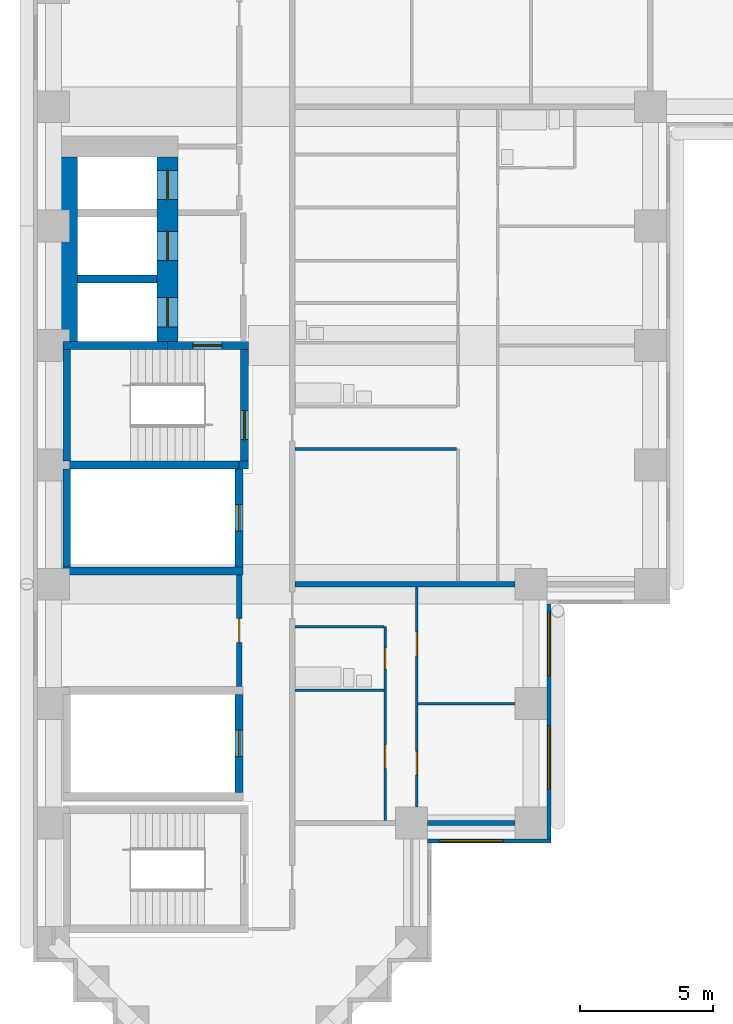
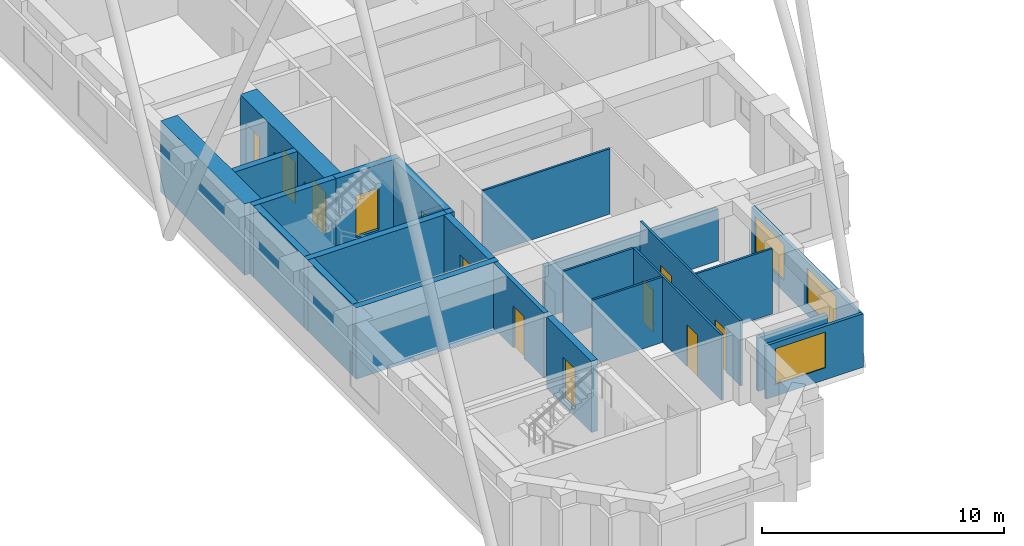
# One storey, part 3 of 12: 24 walls, 12 doors, 3 windows, 15 openings.
"""IFC4 building model written with IfcOpenShell, lengths in metres."""

from ifc_helpers import new_model, si_unit, direction, frame, frame_2d, origin, place, context, subcontext, project, spatial, rectangle, extrude, material, layer, layer_set, type_object, element, fill, save


model = new_model("IFC4")

# Units and contexts
model_context = context("Model", 3, precision=1e-05, world=origin(), true_north=direction((0.0, 1.0)))
body_context = subcontext(model_context, "Body", "Model", "MODEL_VIEW")
ifc_project = project(units=[si_unit("LENGTHUNIT", "METRE"), si_unit("AREAUNIT", "SQUARE_METRE"), si_unit("VOLUMEUNIT", "CUBIC_METRE"), si_unit("PLANEANGLEUNIT", "RADIAN"), si_unit("MASSUNIT", "GRAM", prefix="KILO")], contexts=[model_context])

# Site, building, storey
site_placement = place(None, origin())
site = spatial("IfcSite", under=ifc_project, at=site_placement, CompositionType="ELEMENT")
building_placement = place(site_placement, origin())
building = spatial("IfcBuilding", under=site, at=building_placement, Name="Firuza Court", CompositionType="ELEMENT")
storey_placement = place(building_placement, frame((0.0, 0.0, 93.800048828125)))
storey = spatial("IfcBuildingStorey", under=building, at=storey_placement, Name="L23", CompositionType="ELEMENT", Elevation=93.800048828125)

# Walls
ifc_material_1 = material(Name="Moisture-resistant gypsum board partition")
ifc_layer_1 = layer(ifc_material_1, 0.10009765625)
ifc_layer_set_1 = layer_set([ifc_layer_1], Name="Moisture-resistant gypsum board partition")
wall_type_1 = type_object("IfcWallType", Name="Bathroom partition 100", PredefinedType="PLUMBINGWALL", material=ifc_layer_set_1)
for number, where, z_axis, x_axis, name in (
    (1, (9.10009765625, 14.0, 0.0), (0.0, 0.0, 1.0), (1.0, 0.0, 0.0), "Bathroom partition 100 L23"),
    (2, (9.10009765625, 16.39990234375, 0.0), (0.0, 0.0, 1.0), (1.0, 0.0, 0.0), "Bathroom partition 100 L23"),
):
    element("IfcWall", number, at=place(storey_placement, frame(where, z_axis=z_axis, x_axis=x_axis)), inside=storey, type_object=wall_type_1, Name=name, PredefinedType="PLUMBINGWALL", context=body_context, shape_type="SweptSolid", body=[
        extrude(rectangle(XDim=3.349853515625, YDim=0.10009765625, at=frame_2d((1.6748046875, 0.0))), origin(), (0.0, 0.0, 1.0), 3.300048828125),
    ])
ifc_material_2 = material(Name="Concrete C60/75", Category="concrete")
ifc_layer_2 = layer(ifc_material_2, 0.300048828125)
ifc_layer_set_2 = layer_set([ifc_layer_2], Name="Concrete C60/75")
wall_type_2 = type_object("IfcWallType", Name="Core wall 300 C60/75", PredefinedType="SHEAR", material=ifc_layer_set_2)
wall_1_placement = place(storey_placement, frame((0.35009765625, 18.5, -0.300048828125), z_axis=(0.0, 0.0, 1.0), x_axis=(1.0, 0.0, 0.0)))
element("IfcWall", 3, at=wall_1_placement, inside=storey, type_object=wall_type_2, Name="Core wall riser L23", PredefinedType="SHEAR", context=body_context, shape_type="SweptSolid", body=[
    extrude(rectangle(XDim=6.7998046875, YDim=0.300048828125, at=frame_2d((3.39990234375, 0.0))), origin(), (0.0, 0.0, 1.0), 3.60009765625),
])
wall_2_placement = place(storey_placement, frame((0.35009765625, 22.5, -0.300048828125), z_axis=(0.0, 0.0, 1.0), x_axis=(1.0, 0.0, 0.0)))
element("IfcWall", 4, at=wall_2_placement, inside=storey, type_object=wall_type_2, Name="Core wall riser L23", PredefinedType="SHEAR", context=body_context, shape_type="SweptSolid", body=[
    extrude(rectangle(XDim=6.64990234375, YDim=0.300048828125, at=frame_2d((3.324951171875, 0.0))), origin(), (0.0, 0.0, 1.0), 3.60009765625),
])
wall_3_placement = place(storey_placement, frame((0.35009765625, 27.0, -0.300048828125), z_axis=(0.0, 0.0, 1.0), x_axis=(1.0, 0.0, 0.0)))
element("IfcWall", 5, at=wall_3_placement, inside=storey, type_object=wall_type_2, Name="Core wall lift shaft L23", PredefinedType="SHEAR", context=body_context, shape_type="SweptSolid", body=[
    extrude(rectangle(XDim=3.949951171875, YDim=0.300048828125, at=frame_2d((1.97509765625, 0.0))), origin(), (0.0, 0.0, 1.0), 3.60009765625),
])
wall_4_placement = place(storey_placement, frame((0.5, 18.64990234375, -0.300048828125), z_axis=(0.0, 0.0, 1.0), x_axis=(0.0, 1.0, 0.0)))
element("IfcWall", 6, at=wall_4_placement, inside=storey, type_object=wall_type_2, Name="Core wall riser L23", PredefinedType="SHEAR", context=body_context, shape_type="SweptSolid", body=[
    extrude(rectangle(XDim=3.7001953125, YDim=0.300048828125, at=frame_2d((1.85009765625, 0.0))), origin(), (0.0, 0.0, 1.0), 3.60009765625),
])
wall_5_placement = place(storey_placement, frame((0.5, 22.64990234375, -0.300048828125), z_axis=(0.0, 0.0, 1.0), x_axis=(0.0, 1.0, 0.0)))
element("IfcWall", 7, at=wall_5_placement, inside=storey, type_object=wall_type_2, Name="Core wall stair L23", PredefinedType="SHEAR", context=body_context, shape_type="SweptSolid", body=[
    extrude(rectangle(XDim=4.2001953125, YDim=0.300048828125, at=frame_2d((2.10009765625, 0.0))), origin(), (0.0, 0.0, 1.0), 3.60009765625),
])
wall_6_placement = place(storey_placement, frame((0.89990234375, 29.5, -0.300048828125), z_axis=(0.0, 0.0, 1.0), x_axis=(1.0, 0.0, 0.0)))
element("IfcWall", 8, at=wall_6_placement, inside=storey, type_object=wall_type_2, Name="Core wall lift shaft L23", PredefinedType="SHEAR", context=body_context, shape_type="SweptSolid", body=[
    extrude(rectangle(XDim=3.0, YDim=0.300048828125, at=frame_2d((1.5, 0.0))), origin(), (0.0, 0.0, 1.0), 3.60009765625),
])

# Wall, opening, door
wall_7_placement = place(storey_placement, frame((4.300048828125, 27.0, -0.300048828125), z_axis=(0.0, 0.0, 1.0), x_axis=(1.0, 0.0, 0.0)))
wall_7 = element("IfcWall", 9, at=wall_7_placement, inside=storey, type_object=wall_type_2, Name="Core wall stair L23", PredefinedType="SHEAR", context=body_context, shape_type="SweptSolid", body=[
    extrude(rectangle(XDim=3.050048828125, YDim=0.300048828125, at=frame_2d((1.52490234375, 0.0))), origin(), (0.0, 0.0, 1.0), 3.60009765625),
])
opening_1_placement = place(wall_7_placement, frame((0.949951171875, 0.0, 0.300048828125)))
opening_1 = element("IfcOpeningElement", 10, at=opening_1_placement, cuts=wall_7, Name="Opening D23014", PredefinedType="OPENING", context=body_context, shape_type="SweptSolid", body=[
    extrude(rectangle(XDim=1.10009765625, YDim=2.10009765625, at=frame_2d((0.550048828125, 1.050048828125))), frame((0.0, 0.162109375, 0.0), z_axis=(0.0, -1.0, 0.0), x_axis=(1.0, 0.0, 0.0)), (0.0, 0.0, 1.0), 0.323974609375),
])
ifc_material_3 = material(Name="Timber door leaf in hardwood frame", Category="wood")
door_type_1 = type_object("IfcDoorType", Name="Stair door 1100", OperationType="SINGLE_SWING_LEFT", PredefinedType="DOOR", material=ifc_material_3)
door_1_placement = place(opening_1_placement, frame((1.10009765625, 0.0, 0.0), z_axis=(0.0, 0.0, 1.0), x_axis=(-1.0, 0.0, 0.0)))
door_1 = element("IfcDoor", 11, at=door_1_placement, inside=storey, type_object=door_type_1, Name="Fire-fighting lobby door", OperationType="SINGLE_SWING_LEFT", OverallHeight=2.10009765625, OverallWidth=1.10009765625, PredefinedType="DOOR", context=body_context, shape_type="SweptSolid", body=[
    extrude(rectangle(XDim=1.10009765625, YDim=2.10009765625, at=frame_2d((0.550048828125, 1.050048828125))), frame((0.0, 0.02490234375, 0.0), z_axis=(0.0, -1.0, 0.0), x_axis=(1.0, 0.0, 0.0)), (0.0, 0.0, 1.0), 0.050048828125),
])
fill(opening_1, door_1)

wall_8_placement = place(storey_placement, frame((7.0, 10.14990234375, -0.300048828125), z_axis=(0.0, 0.0, 1.0), x_axis=(0.0, 1.0, 0.0)))
wall_8 = element("IfcWall", 12, at=wall_8_placement, inside=storey, type_object=wall_type_2, Name="Core wall riser L23", PredefinedType="SHEAR", context=body_context, shape_type="SweptSolid", body=[
    extrude(rectangle(XDim=3.7001953125, YDim=0.300048828125, at=frame_2d((1.85009765625, 0.0))), origin(), (0.0, 0.0, 1.0), 3.60009765625),
])
opening_2_placement = place(wall_8_placement, frame((1.35009765625, 0.0, 0.300048828125)))
opening_2 = element("IfcOpeningElement", 13, at=opening_2_placement, cuts=wall_8, Name="Opening D23012", PredefinedType="OPENING", context=body_context, shape_type="SweptSolid", body=[
    extrude(rectangle(XDim=1.0, YDim=2.10009765625, at=frame_2d((0.5, 1.050048828125))), frame((0.0, 0.162109375, 0.0), z_axis=(0.0, -1.0, 0.0), x_axis=(1.0, 0.0, 0.0)), (0.0, 0.0, 1.0), 0.323974609375),
])
ifc_material_4 = material(Name="Timber door leaf in hardwood frame", Category="wood")
door_type_2 = type_object("IfcDoorType", Name="Riser door 1000", OperationType="SINGLE_SWING_LEFT", PredefinedType="DOOR", material=ifc_material_4)
door_2_placement = place(opening_2_placement, origin())
door_2 = element("IfcDoor", 14, at=door_2_placement, inside=storey, type_object=door_type_2, Name="Riser door R4", OperationType="SINGLE_SWING_LEFT", OverallHeight=2.10009765625, OverallWidth=1.0, PredefinedType="DOOR", context=body_context, shape_type="SweptSolid", body=[
    extrude(rectangle(XDim=1.0, YDim=2.10009765625, at=frame_2d((0.5, 1.050048828125))), frame((0.0, 0.02490234375, 0.0), z_axis=(0.0, -1.0, 0.0), x_axis=(1.0, 0.0, 0.0)), (0.0, 0.0, 1.0), 0.050048828125),
])
fill(opening_2, door_2)

wall_9_placement = place(storey_placement, frame((7.0, 18.64990234375, -0.300048828125), z_axis=(0.0, 0.0, 1.0), x_axis=(0.0, 1.0, 0.0)))
wall_9 = element("IfcWall", 15, at=wall_9_placement, inside=storey, type_object=wall_type_2, Name="Core wall riser L23", PredefinedType="SHEAR", context=body_context, shape_type="SweptSolid", body=[
    extrude(rectangle(XDim=3.7001953125, YDim=0.300048828125, at=frame_2d((1.85009765625, 0.0))), origin(), (0.0, 0.0, 1.0), 3.60009765625),
])
opening_3_placement = place(wall_9_placement, frame((1.35009765625, 0.0, 0.300048828125)))
opening_3 = element("IfcOpeningElement", 16, at=opening_3_placement, cuts=wall_9, Name="Opening D23010", PredefinedType="OPENING", context=body_context, shape_type="SweptSolid", body=[
    extrude(rectangle(XDim=1.0, YDim=2.10009765625, at=frame_2d((0.5, 1.050048828125))), frame((0.0, 0.162109375, 0.0), z_axis=(0.0, -1.0, 0.0), x_axis=(1.0, 0.0, 0.0)), (0.0, 0.0, 1.0), 0.323974609375),
])
door_3_placement = place(opening_3_placement, origin())
door_3 = element("IfcDoor", 17, at=door_3_placement, inside=storey, type_object=door_type_2, Name="Riser door R1", OperationType="SINGLE_SWING_LEFT", OverallHeight=2.10009765625, OverallWidth=1.0, PredefinedType="DOOR", context=body_context, shape_type="SweptSolid", body=[
    extrude(rectangle(XDim=1.0, YDim=2.10009765625, at=frame_2d((0.5, 1.050048828125))), frame((0.0, 0.02490234375, 0.0), z_axis=(0.0, -1.0, 0.0), x_axis=(1.0, 0.0, 0.0)), (0.0, 0.0, 1.0), 0.050048828125),
])
fill(opening_3, door_3)

# Wall
wall_10_placement = place(storey_placement, frame((7.0, 22.5, -0.300048828125), z_axis=(0.0, 0.0, 1.0), x_axis=(1.0, 0.0, 0.0)))
element("IfcWall", 18, at=wall_10_placement, inside=storey, type_object=wall_type_2, Name="Core wall stair L23", PredefinedType="SHEAR", context=body_context, shape_type="SweptSolid", body=[
    extrude(rectangle(XDim=0.35009765625, YDim=0.300048828125, at=frame_2d((0.175048828125, 0.0))), origin(), (0.0, 0.0, 1.0), 3.60009765625),
])

# Wall, opening, door
wall_11_placement = place(storey_placement, frame((7.199951171875, 22.64990234375, -0.300048828125), z_axis=(0.0, 0.0, 1.0), x_axis=(0.0, 1.0, 0.0)))
wall_11 = element("IfcWall", 19, at=wall_11_placement, inside=storey, type_object=wall_type_2, Name="Core wall stair L23", PredefinedType="SHEAR", context=body_context, shape_type="SweptSolid", body=[
    extrude(rectangle(XDim=4.2001953125, YDim=0.300048828125, at=frame_2d((2.10009765625, 0.0))), origin(), (0.0, 0.0, 1.0), 3.60009765625),
])
opening_4_placement = place(wall_11_placement, frame((0.800048828125, 0.0, 0.300048828125)))
opening_4 = element("IfcOpeningElement", 20, at=opening_4_placement, cuts=wall_11, Name="Opening D23015", PredefinedType="OPENING", context=body_context, shape_type="SweptSolid", body=[
    extrude(rectangle(XDim=1.10009765625, YDim=2.10009765625, at=frame_2d((0.550048828125, 1.050048828125))), frame((0.0, 0.162109375, 0.0), z_axis=(0.0, -1.0, 0.0), x_axis=(1.0, 0.0, 0.0)), (0.0, 0.0, 1.0), 0.323974609375),
])
door_4_placement = place(opening_4_placement, origin())
door_4 = element("IfcDoor", 21, at=door_4_placement, inside=storey, type_object=door_type_1, Name="Stair door S2", OperationType="SINGLE_SWING_LEFT", OverallHeight=2.10009765625, OverallWidth=1.10009765625, PredefinedType="DOOR", context=body_context, shape_type="SweptSolid", body=[
    extrude(rectangle(XDim=1.10009765625, YDim=2.10009765625, at=frame_2d((0.550048828125, 1.050048828125))), frame((0.0, 0.02490234375, 0.0), z_axis=(0.0, -1.0, 0.0), x_axis=(1.0, 0.0, 0.0)), (0.0, 0.0, 1.0), 0.050048828125),
])
fill(opening_4, door_4)

# Wall
ifc_layer_3 = layer(ifc_material_2, 0.800048828125)
ifc_layer_set_3 = layer_set([ifc_layer_3], Name="Concrete C60/75")
wall_type_3 = type_object("IfcWallType", Name="Core wall 800 C60/75", PredefinedType="SHEAR", material=ifc_layer_set_3)
wall_12_placement = place(storey_placement, frame((0.5, 27.14990234375, -0.300048828125), z_axis=(0.0, 0.0, 1.0), x_axis=(0.0, 1.0, 0.0)))
element("IfcWall", 22, at=wall_12_placement, inside=storey, type_object=wall_type_3, Name="Core wall lift shaft L23", PredefinedType="SHEAR", context=body_context, shape_type="SweptSolid", body=[
    extrude(rectangle(XDim=6.9501953125, YDim=0.800048828125, at=frame_2d((3.47509765625, 0.0))), origin(), (0.0, 0.0, 1.0), 3.60009765625),
])

# Wall, openings, doors
wall_13_placement = place(storey_placement, frame((4.300048828125, 27.14990234375, -0.300048828125), z_axis=(0.0, 0.0, 1.0), x_axis=(0.0, 1.0, 0.0)))
wall_13 = element("IfcWall", 23, at=wall_13_placement, inside=storey, type_object=wall_type_3, Name="Core wall lift shaft L23", PredefinedType="SHEAR", context=body_context, shape_type="SweptSolid", body=[
    extrude(rectangle(XDim=6.9501953125, YDim=0.800048828125, at=frame_2d((3.47509765625, 0.0))), origin(), (0.0, 0.0, 1.0), 3.60009765625),
])
opening_5_placement = place(wall_13_placement, frame((3.050048828125, 0.0, 0.300048828125)))
opening_5 = element("IfcOpeningElement", 24, at=opening_5_placement, cuts=wall_13, Name="Opening LD-FL1-23", PredefinedType="OPENING", context=body_context, shape_type="SweptSolid", body=[
    extrude(rectangle(XDim=1.10009765625, YDim=2.10009765625, at=frame_2d((0.550048828125, 1.050048828125))), frame((0.0, 0.412109375, 0.0), z_axis=(0.0, -1.0, 0.0), x_axis=(1.0, 0.0, 0.0)), (0.0, 0.0, 1.0), 0.823974609375),
])
opening_6_placement = place(wall_13_placement, frame((0.550048828125, 0.0, 0.300048828125)))
opening_6 = element("IfcOpeningElement", 25, at=opening_6_placement, cuts=wall_13, Name="Opening LD-FL2-23", PredefinedType="OPENING", context=body_context, shape_type="SweptSolid", body=[
    extrude(rectangle(XDim=1.10009765625, YDim=2.10009765625, at=frame_2d((0.550048828125, 1.050048828125))), frame((0.0, 0.412109375, 0.0), z_axis=(0.0, -1.0, 0.0), x_axis=(1.0, 0.0, 0.0)), (0.0, 0.0, 1.0), 0.823974609375),
])
opening_7_placement = place(wall_13_placement, frame((5.35009765625, 0.0, 0.300048828125)))
opening_7 = element("IfcOpeningElement", 26, at=opening_7_placement, cuts=wall_13, Name="Opening LD-SL1-23", PredefinedType="OPENING", context=body_context, shape_type="SweptSolid", body=[
    extrude(rectangle(XDim=1.10009765625, YDim=2.10009765625, at=frame_2d((0.550048828125, 1.050048828125))), frame((0.0, 0.412109375, 0.0), z_axis=(0.0, -1.0, 0.0), x_axis=(1.0, 0.0, 0.0)), (0.0, 0.0, 1.0), 0.823974609375),
])
ifc_material_5 = material(Name="Stainless steel 1.4301 door leaf", Category="steel")
door_type_3 = type_object("IfcDoorType", Name="Lift landing door 1100", OperationType="SLIDING_TO_LEFT", PredefinedType="DOOR", material=ifc_material_5)
door_5_placement = place(opening_5_placement, origin())
door_5 = element("IfcDoor", 27, at=door_5_placement, inside=storey, type_object=door_type_3, Name="Landing door FL1", OperationType="SLIDING_TO_LEFT", OverallHeight=2.10009765625, OverallWidth=1.10009765625, PredefinedType="DOOR", context=body_context, shape_type="SweptSolid", body=[
    extrude(rectangle(XDim=1.10009765625, YDim=2.10009765625, at=frame_2d((0.550048828125, 1.050048828125))), frame((0.0, 0.02490234375, 0.0), z_axis=(0.0, -1.0, 0.0), x_axis=(1.0, 0.0, 0.0)), (0.0, 0.0, 1.0), 0.050048828125),
])
fill(opening_5, door_5)
door_6_placement = place(opening_6_placement, origin())
door_6 = element("IfcDoor", 28, at=door_6_placement, inside=storey, type_object=door_type_3, Name="Landing door FL2", OperationType="SLIDING_TO_LEFT", OverallHeight=2.10009765625, OverallWidth=1.10009765625, PredefinedType="DOOR", context=body_context, shape_type="SweptSolid", body=[
    extrude(rectangle(XDim=1.10009765625, YDim=2.10009765625, at=frame_2d((0.550048828125, 1.050048828125))), frame((0.0, 0.02490234375, 0.0), z_axis=(0.0, -1.0, 0.0), x_axis=(1.0, 0.0, 0.0)), (0.0, 0.0, 1.0), 0.050048828125),
])
fill(opening_6, door_6)
door_7_placement = place(opening_7_placement, origin())
door_7 = element("IfcDoor", 29, at=door_7_placement, inside=storey, type_object=door_type_3, Name="Landing door SL1", OperationType="SLIDING_TO_LEFT", OverallHeight=2.10009765625, OverallWidth=1.10009765625, PredefinedType="DOOR", context=body_context, shape_type="SweptSolid", body=[
    extrude(rectangle(XDim=1.10009765625, YDim=2.10009765625, at=frame_2d((0.550048828125, 1.050048828125))), frame((0.0, 0.02490234375, 0.0), z_axis=(0.0, -1.0, 0.0), x_axis=(1.0, 0.0, 0.0)), (0.0, 0.0, 1.0), 0.050048828125),
])
fill(opening_7, door_7)

# Wall, opening, door
ifc_material_6 = material(Name="Blockwork, plastered both sides", Category="masonry")
ifc_layer_4 = layer(ifc_material_6, 0.199951171875)
ifc_layer_set_4 = layer_set([ifc_layer_4], Name="Blockwork, plastered both sides")
wall_type_4 = type_object("IfcWallType", Name="Corridor wall 200", PredefinedType="PARTITIONING", material=ifc_layer_set_4)
wall_14_placement = place(storey_placement, frame((7.0, 14.14990234375, 0.0), z_axis=(0.0, 0.0, 1.0), x_axis=(0.0, 1.0, 0.0)))
wall_14 = element("IfcWall", 30, at=wall_14_placement, inside=storey, type_object=wall_type_4, Name="Corridor wall 200 L23", PredefinedType="PARTITIONING", context=body_context, shape_type="SweptSolid", body=[
    extrude(rectangle(XDim=4.2001953125, YDim=0.199951171875, at=frame_2d((2.10009765625, 0.0))), origin(), (0.0, 0.0, 1.0), 3.300048828125),
])
opening_8_placement = place(wall_14_placement, frame((1.64990234375, 0.0, 0.0)))
opening_8 = element("IfcOpeningElement", 31, at=opening_8_placement, cuts=wall_14, Name="Opening D23027", PredefinedType="OPENING", context=body_context, shape_type="SweptSolid", body=[
    extrude(rectangle(XDim=0.89990234375, YDim=2.10009765625, at=frame_2d((0.449951171875, 1.050048828125))), frame((0.0, 0.11181640625, 0.0), z_axis=(0.0, -1.0, 0.0), x_axis=(1.0, 0.0, 0.0)), (0.0, 0.0, 1.0), 0.223876953125),
])
ifc_material_7 = material(Name="Timber door leaf in hardwood frame", Category="wood")
door_type_4 = type_object("IfcDoorType", Name="Room door 900 EI 30", OperationType="SINGLE_SWING_LEFT", PredefinedType="DOOR", material=ifc_material_7)
door_8_placement = place(opening_8_placement, origin())
door_8 = element("IfcDoor", 32, at=door_8_placement, inside=storey, type_object=door_type_4, Name="Meeting room door", OperationType="SINGLE_SWING_LEFT", OverallHeight=2.10009765625, OverallWidth=0.89990234375, PredefinedType="DOOR", context=body_context, shape_type="SweptSolid", body=[
    extrude(rectangle(XDim=0.89990234375, YDim=2.10009765625, at=frame_2d((0.449951171875, 1.050048828125))), frame((0.0, 0.02490234375, 0.0), z_axis=(0.0, -1.0, 0.0), x_axis=(1.0, 0.0, 0.0)), (0.0, 0.0, 1.0), 0.050048828125),
])
fill(opening_8, door_8)

# Wall, openings, doors
ifc_material_8 = material(Name="Timber stud partition, plasterboard both sides", Category="wood")
ifc_layer_5 = layer(ifc_material_8, 0.10009765625)
ifc_layer_set_5 = layer_set([ifc_layer_5], Name="Timber stud partition, plasterboard both sides")
wall_type_5 = type_object("IfcWallType", Name="Partition wall 100", PredefinedType="PARTITIONING", material=ifc_layer_set_5)
wall_15_placement = place(storey_placement, frame((12.5, 9.10009765625, 0.0), z_axis=(0.0, 0.0, 1.0), x_axis=(0.0, 1.0, 0.0)))
wall_15 = element("IfcWall", 33, at=wall_15_placement, inside=storey, type_object=wall_type_5, Name="Partition wall 100 L23", PredefinedType="PARTITIONING", context=body_context, shape_type="SweptSolid", body=[
    extrude(rectangle(XDim=7.2998046875, YDim=0.10009765625, at=frame_2d((3.64990234375, 0.0))), origin(), (0.0, 0.0, 1.0), 3.300048828125),
])
opening_9_placement = place(wall_15_placement, frame((5.699951171875, 0.0, 0.0)))
opening_9 = element("IfcOpeningElement", 34, at=opening_9_placement, cuts=wall_15, Name="Opening D23023", PredefinedType="OPENING", context=body_context, shape_type="SweptSolid", body=[
    extrude(rectangle(XDim=0.800048828125, YDim=2.10009765625, at=frame_2d((0.39990234375, 1.050048828125))), frame((0.0, 0.06201171875, 0.0), z_axis=(0.0, -1.0, 0.0), x_axis=(1.0, 0.0, 0.0)), (0.0, 0.0, 1.0), 0.1240234375),
])
opening_10_placement = place(wall_15_placement, frame((1.949951171875, 0.0, 0.0)))
opening_10 = element("IfcOpeningElement", 35, at=opening_10_placement, cuts=wall_15, Name="Opening D23024", PredefinedType="OPENING", context=body_context, shape_type="SweptSolid", body=[
    extrude(rectangle(XDim=0.89990234375, YDim=2.10009765625, at=frame_2d((0.449951171875, 1.050048828125))), frame((0.0, 0.06201171875, 0.0), z_axis=(0.0, -1.0, 0.0), x_axis=(1.0, 0.0, 0.0)), (0.0, 0.0, 1.0), 0.1240234375),
])
ifc_material_9 = material(Name="Timber door leaf in hardwood frame", Category="wood")
door_type_5 = type_object("IfcDoorType", Name="Bathroom door 800", OperationType="SINGLE_SWING_LEFT", PredefinedType="DOOR", material=ifc_material_9)
door_9_placement = place(opening_9_placement, origin())
door_9 = element("IfcDoor", 36, at=door_9_placement, inside=storey, type_object=door_type_5, Name="Bathroom door", OperationType="SINGLE_SWING_LEFT", OverallHeight=2.10009765625, OverallWidth=0.800048828125, PredefinedType="DOOR", context=body_context, shape_type="SweptSolid", body=[
    extrude(rectangle(XDim=0.800048828125, YDim=2.10009765625, at=frame_2d((0.39990234375, 1.050048828125))), frame((0.0, 0.02490234375, 0.0), z_axis=(0.0, -1.0, 0.0), x_axis=(1.0, 0.0, 0.0)), (0.0, 0.0, 1.0), 0.050048828125),
])
fill(opening_9, door_9)
ifc_material_10 = material(Name="Timber door leaf in hardwood frame", Category="wood")
door_type_6 = type_object("IfcDoorType", Name="Room door 900", OperationType="SINGLE_SWING_LEFT", PredefinedType="DOOR", material=ifc_material_10)
door_10_placement = place(opening_10_placement, origin())
door_10 = element("IfcDoor", 37, at=door_10_placement, inside=storey, type_object=door_type_6, Name="Kitchen door", OperationType="SINGLE_SWING_LEFT", OverallHeight=2.10009765625, OverallWidth=0.89990234375, PredefinedType="DOOR", context=body_context, shape_type="SweptSolid", body=[
    extrude(rectangle(XDim=0.89990234375, YDim=2.10009765625, at=frame_2d((0.449951171875, 1.050048828125))), frame((0.0, 0.02490234375, 0.0), z_axis=(0.0, -1.0, 0.0), x_axis=(1.0, 0.0, 0.0)), (0.0, 0.0, 1.0), 0.050048828125),
])
fill(opening_10, door_10)

wall_16_placement = place(storey_placement, frame((13.699951171875, 9.60009765625, 0.0), z_axis=(0.0, 0.0, 1.0), x_axis=(0.0, 1.0, 0.0)))
wall_16 = element("IfcWall", 38, at=wall_16_placement, inside=storey, type_object=wall_type_5, Name="Partition wall 100 L23", PredefinedType="PARTITIONING", context=body_context, shape_type="SweptSolid", body=[
    extrude(rectangle(XDim=8.2998046875, YDim=0.10009765625, at=frame_2d((4.14990234375, 0.0))), origin(), (0.0, 0.0, 1.0), 3.300048828125),
])
opening_11_placement = place(wall_16_placement, frame((1.199951171875, 0.0, 0.0)))
opening_11 = element("IfcOpeningElement", 39, at=opening_11_placement, cuts=wall_16, Name="Opening D23025", PredefinedType="OPENING", context=body_context, shape_type="SweptSolid", body=[
    extrude(rectangle(XDim=0.89990234375, YDim=2.10009765625, at=frame_2d((0.449951171875, 1.050048828125))), frame((0.0, 0.06201171875, 0.0), z_axis=(0.0, -1.0, 0.0), x_axis=(1.0, 0.0, 0.0)), (0.0, 0.0, 1.0), 0.1240234375),
])
opening_12_placement = place(wall_16_placement, frame((5.699951171875, 0.0, 0.0)))
opening_12 = element("IfcOpeningElement", 40, at=opening_12_placement, cuts=wall_16, Name="Opening D23026", PredefinedType="OPENING", context=body_context, shape_type="SweptSolid", body=[
    extrude(rectangle(XDim=0.89990234375, YDim=2.10009765625, at=frame_2d((0.449951171875, 1.050048828125))), frame((0.0, 0.06201171875, 0.0), z_axis=(0.0, -1.0, 0.0), x_axis=(1.0, 0.0, 0.0)), (0.0, 0.0, 1.0), 0.1240234375),
])
door_11_placement = place(opening_11_placement, frame((0.89990234375, 0.0, 0.0), z_axis=(0.0, 0.0, 1.0), x_axis=(-1.0, 0.0, 0.0)))
door_11 = element("IfcDoor", 41, at=door_11_placement, inside=storey, type_object=door_type_6, Name="Bedroom door", OperationType="SINGLE_SWING_RIGHT", OverallHeight=2.10009765625, OverallWidth=0.89990234375, PredefinedType="DOOR", context=body_context, shape_type="SweptSolid", body=[
    extrude(rectangle(XDim=0.89990234375, YDim=2.10009765625, at=frame_2d((0.449951171875, 1.050048828125))), frame((0.0, 0.02490234375, 0.0), z_axis=(0.0, -1.0, 0.0), x_axis=(1.0, 0.0, 0.0)), (0.0, 0.0, 1.0), 0.050048828125),
])
fill(opening_11, door_11)
door_12_placement = place(opening_12_placement, frame((0.89990234375, 0.0, 0.0), z_axis=(0.0, 0.0, 1.0), x_axis=(-1.0, 0.0, 0.0)))
door_12 = element("IfcDoor", 42, at=door_12_placement, inside=storey, type_object=door_type_6, Name="Living room door", OperationType="SINGLE_SWING_RIGHT", OverallHeight=2.10009765625, OverallWidth=0.89990234375, PredefinedType="DOOR", context=body_context, shape_type="SweptSolid", body=[
    extrude(rectangle(XDim=0.89990234375, YDim=2.10009765625, at=frame_2d((0.449951171875, 1.050048828125))), frame((0.0, 0.02490234375, 0.0), z_axis=(0.0, -1.0, 0.0), x_axis=(1.0, 0.0, 0.0)), (0.0, 0.0, 1.0), 0.050048828125),
])
fill(opening_12, door_12)

# Walls
wall_17_placement = place(storey_placement, frame((13.75, 13.5, 0.0), z_axis=(0.0, 0.0, 1.0), x_axis=(1.0, 0.0, 0.0)))
element("IfcWall", 43, at=wall_17_placement, inside=storey, type_object=wall_type_5, Name="Partition wall 100 L23", PredefinedType="PARTITIONING", context=body_context, shape_type="SweptSolid", body=[
    extrude(rectangle(XDim=3.64990234375, YDim=0.10009765625, at=frame_2d((1.824951171875, 0.0))), origin(), (0.0, 0.0, 1.0), 3.300048828125),
])
wall_18_placement = place(storey_placement, frame((9.10009765625, 23.10009765625, 0.0), z_axis=(0.0, 0.0, 1.0), x_axis=(1.0, 0.0, 0.0)))
element("IfcWall", 44, at=wall_18_placement, inside=storey, type_object=wall_type_5, Name="Partition wall 100 L23", PredefinedType="PARTITIONING", context=body_context, shape_type="SweptSolid", body=[
    extrude(rectangle(XDim=6.099853515625, YDim=0.10009765625, at=frame_2d((3.0498046875, 0.0))), origin(), (0.0, 0.0, 1.0), 3.300048828125),
])
ifc_layer_6 = layer(ifc_material_6, 0.199951171875)
ifc_layer_set_6 = layer_set([ifc_layer_6], Name="Blockwork, plastered both sides")
wall_type_6 = type_object("IfcWallType", Name="Party wall 200", PredefinedType="PARTITIONING", material=ifc_layer_set_6)
wall_19_placement = place(storey_placement, frame((14.10009765625, 9.0, 0.0), z_axis=(0.0, 0.0, 1.0), x_axis=(1.0, 0.0, 0.0)))
element("IfcWall", 45, at=wall_19_placement, inside=storey, type_object=wall_type_6, Name="Party wall 200 L23", PredefinedType="PARTITIONING", context=body_context, shape_type="SweptSolid", body=[
    extrude(rectangle(XDim=3.2998046875, YDim=0.199951171875, at=frame_2d((1.64990234375, 0.0))), origin(), (0.0, 0.0, 1.0), 2.699951171875),
])
wall_20_placement = place(storey_placement, frame((9.10009765625, 18.0, 0.0), z_axis=(0.0, 0.0, 1.0), x_axis=(1.0, 0.0, 0.0)))
element("IfcWall", 46, at=wall_20_placement, inside=storey, type_object=wall_type_6, Name="Party wall 200 L23", PredefinedType="PARTITIONING", context=body_context, shape_type="SweptSolid", body=[
    extrude(rectangle(XDim=8.2998046875, YDim=0.199951171875, at=frame_2d((4.14990234375, 0.0))), origin(), (0.0, 0.0, 1.0), 2.599853515625),
])

# Wall, opening, window
ifc_material_11 = material(Name="Ceramic tile", Category="ceramic")
ifc_layer_7 = layer(ifc_material_11, 0.02001953125)
ifc_material_12 = material(Name="Mineral wool insulation", Category="insulation")
ifc_layer_8 = layer(ifc_material_12, 0.050048828125)
ifc_material_13 = material(Name="Concrete C40/50 precast", Category="concrete")
ifc_layer_9 = layer(ifc_material_13, 0.080078125)
ifc_layer_set_7 = layer_set([ifc_layer_7, ifc_layer_8, ifc_layer_9], Name="Concrete C40/50 precast")
wall_type_7 = type_object("IfcWallType", Name="Precast cladding wall with turquoise TILE PANEL face 150", PredefinedType="STANDARD", material=ifc_layer_set_7)
wall_21_placement = place(storey_placement, frame((14.10009765625, 8.324951171875, 0.0), z_axis=(0.0, 0.0, 1.0), x_axis=(1.0, 0.0, 0.0)))
wall_21 = element("IfcWall", 47, at=wall_21_placement, inside=storey, type_object=wall_type_7, Name="Facade wall L23 S", PredefinedType="STANDARD", context=body_context, shape_type="SweptSolid", body=[
    extrude(rectangle(XDim=4.64990234375, YDim=0.14990234375, at=frame_2d((2.324951171875, 0.0))), origin(), (0.0, 0.0, 1.0), 2.699951171875),
])
opening_13_placement = place(wall_21_placement, frame((0.449951171875, 0.0, 0.60009765625)))
opening_13 = element("IfcOpeningElement", 48, at=opening_13_placement, cuts=wall_21, Name="Opening W1", PredefinedType="OPENING", context=body_context, shape_type="SweptSolid", body=[
    extrude(rectangle(XDim=2.39990234375, YDim=1.800048828125, at=frame_2d((1.199951171875, 0.89990234375))), frame((0.0, 0.0869140625, 0.0), z_axis=(0.0, -1.0, 0.0), x_axis=(1.0, 0.0, 0.0)), (0.0, 0.0, 1.0), 0.173828125),
])
ifc_material_14 = material(Name="Aluminium frame, triple clear glazing", Category="aluminium")
window_type = type_object("IfcWindowType", Name="Window W1 2400 x 1800", PartitioningType="SINGLE_PANEL", PredefinedType="WINDOW", material=ifc_material_14)
window_1_placement = place(opening_13_placement, origin())
window_1 = element("IfcWindow", 49, at=window_1_placement, inside=storey, type_object=window_type, Name="Window L23", OverallHeight=1.800048828125, OverallWidth=2.39990234375, PartitioningType="SINGLE_PANEL", PredefinedType="WINDOW", context=body_context, shape_type="SweptSolid", body=[
    extrude(rectangle(XDim=2.39990234375, YDim=1.800048828125, at=frame_2d((1.199951171875, 0.89990234375))), frame((0.0, 0.030029296875, 0.0), z_axis=(0.0, -1.0, 0.0), x_axis=(1.0, 0.0, 0.0)), (0.0, 0.0, 1.0), 0.06005859375),
])
fill(opening_13, window_1)

# Wall, openings, windows
wall_22_placement = place(storey_placement, frame((18.675048828125, 8.39990234375, 0.0), z_axis=(0.0, 0.0, 1.0), x_axis=(0.0, 1.0, 0.0)))
wall_22 = element("IfcWall", 50, at=wall_22_placement, inside=storey, type_object=wall_type_7, Name="Facade wall L23 E", PredefinedType="STANDARD", context=body_context, shape_type="SweptSolid", body=[
    extrude(rectangle(XDim=8.85009765625, YDim=0.14990234375, at=frame_2d((4.425048828125, 0.0))), origin(), (0.0, 0.0, 1.0), 2.699951171875),
])
opening_14_placement = place(wall_22_placement, frame((1.86474609375, 0.0, 0.60009765625)))
opening_14 = element("IfcOpeningElement", 51, at=opening_14_placement, cuts=wall_22, Name="Opening W1", PredefinedType="OPENING", context=body_context, shape_type="SweptSolid", body=[
    extrude(rectangle(XDim=2.39990234375, YDim=1.800048828125, at=frame_2d((1.199951171875, 0.89990234375))), frame((0.0, 0.0869140625, 0.0), z_axis=(0.0, -1.0, 0.0), x_axis=(1.0, 0.0, 0.0)), (0.0, 0.0, 1.0), 0.173828125),
])
opening_15_placement = place(wall_22_placement, frame((6.14990234375, 0.0, 0.60009765625)))
opening_15 = element("IfcOpeningElement", 52, at=opening_15_placement, cuts=wall_22, Name="Opening W1", PredefinedType="OPENING", context=body_context, shape_type="SweptSolid", body=[
    extrude(rectangle(XDim=2.39990234375, YDim=1.800048828125, at=frame_2d((1.199951171875, 0.89990234375))), frame((0.0, 0.0869140625, 0.0), z_axis=(0.0, -1.0, 0.0), x_axis=(1.0, 0.0, 0.0)), (0.0, 0.0, 1.0), 0.173828125),
])
window_2_placement = place(opening_14_placement, origin())
window_2 = element("IfcWindow", 53, at=window_2_placement, inside=storey, type_object=window_type, Name="Window L23", OverallHeight=1.800048828125, OverallWidth=2.39990234375, PartitioningType="SINGLE_PANEL", PredefinedType="WINDOW", context=body_context, shape_type="SweptSolid", body=[
    extrude(rectangle(XDim=2.39990234375, YDim=1.800048828125, at=frame_2d((1.199951171875, 0.89990234375))), frame((0.0, 0.030029296875, 0.0), z_axis=(0.0, -1.0, 0.0), x_axis=(1.0, 0.0, 0.0)), (0.0, 0.0, 1.0), 0.06005859375),
])
fill(opening_14, window_2)
window_3_placement = place(opening_15_placement, origin())
window_3 = element("IfcWindow", 54, at=window_3_placement, inside=storey, type_object=window_type, Name="Window L23", OverallHeight=1.800048828125, OverallWidth=2.39990234375, PartitioningType="SINGLE_PANEL", PredefinedType="WINDOW", context=body_context, shape_type="SweptSolid", body=[
    extrude(rectangle(XDim=2.39990234375, YDim=1.800048828125, at=frame_2d((1.199951171875, 0.89990234375))), frame((0.0, 0.030029296875, 0.0), z_axis=(0.0, -1.0, 0.0), x_axis=(1.0, 0.0, 0.0)), (0.0, 0.0, 1.0), 0.06005859375),
])
fill(opening_15, window_3)

save(model, "model.ifc")
